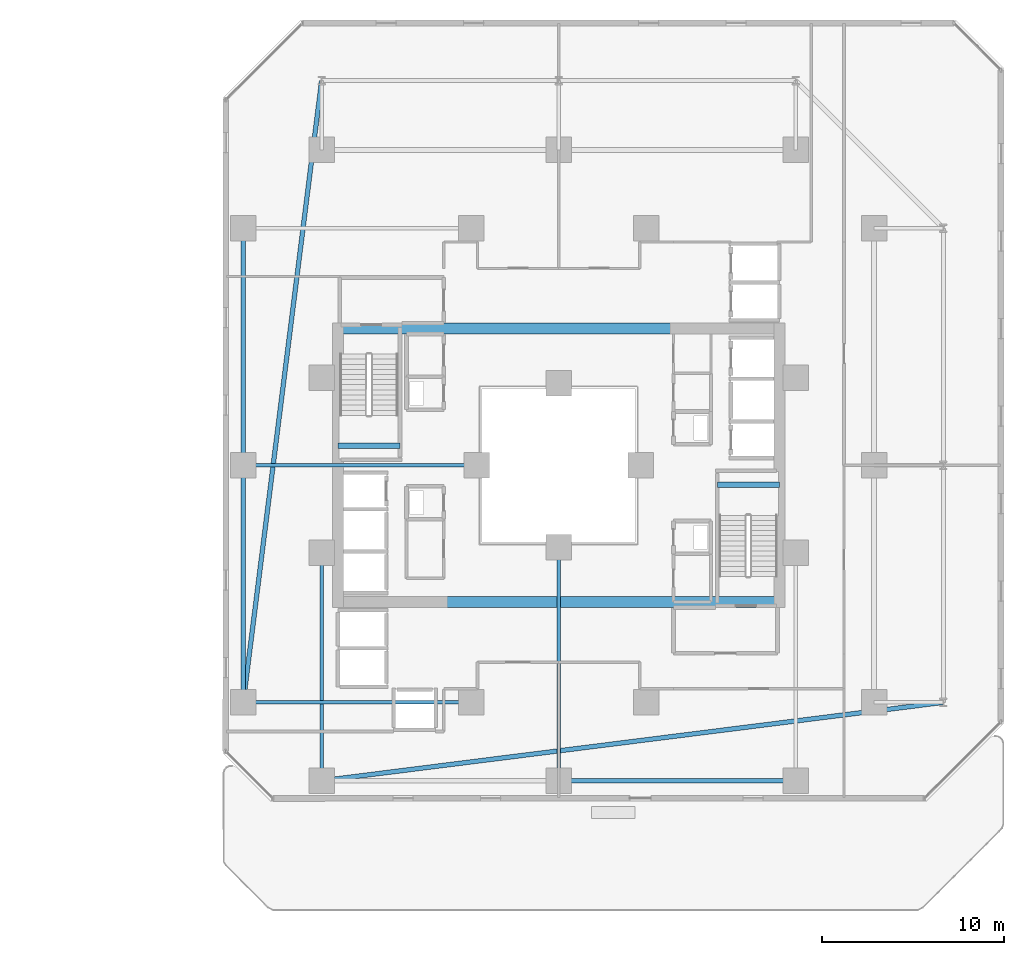
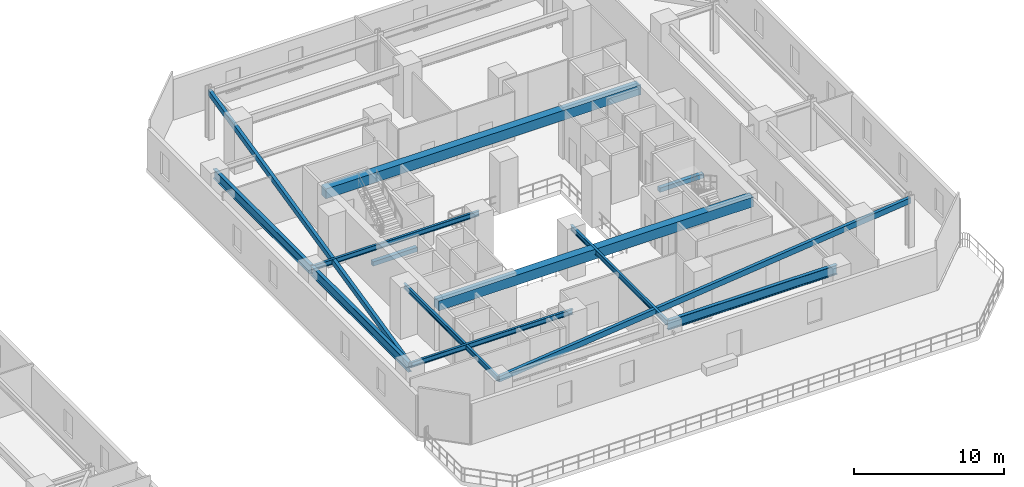
# One storey, part 11 of 33: 13 beams.
"""IFC4 building model written with IfcOpenShell, lengths in metres."""

from ifc_helpers import new_model, si_unit, direction, frame, origin, origin_2d, place, context, subcontext, project, spatial, rectangle, hollow_rectangle, i_section, extrude, material, material_profile, profile_set, type_object, element, save


model = new_model("IFC4")

# Units and contexts
model_context = context("Model", 3, precision=1e-05, world=origin(), true_north=direction((0.0, 1.0)))
body_context = subcontext(model_context, "Body", "Model", "MODEL_VIEW")
ifc_project = project(units=[si_unit("LENGTHUNIT", "METRE"), si_unit("AREAUNIT", "SQUARE_METRE"), si_unit("VOLUMEUNIT", "CUBIC_METRE"), si_unit("PLANEANGLEUNIT", "RADIAN"), si_unit("MASSUNIT", "GRAM", prefix="KILO")], contexts=[model_context])

# Site, building, storey
site_placement = place(None, origin())
site = spatial("IfcSite", under=ifc_project, at=site_placement, CompositionType="ELEMENT")
building_placement = place(site_placement, origin())
building = spatial("IfcBuilding", under=site, at=building_placement, Name="Thornwick Lancets Civic Towers", CompositionType="ELEMENT")
storey_placement = place(building_placement, frame((0.0, 0.0, 49.5)))
storey = spatial("IfcBuildingStorey", under=building, at=storey_placement, Name="L12", CompositionType="ELEMENT", Elevation=49.5)

# Beams
ifc_material_1 = material(Name="Concrete C60/75", Category="concrete")
ifc_material_profile_1 = material_profile(ifc_material_1, rectangle(XDim=0.60009765625, YDim=0.800048828125, at=origin_2d()), Name="RC 600x800")
ifc_profile_set_1 = profile_set([ifc_material_profile_1], Name="Concrete C60/75")
beam_type_1 = type_object("IfcBeamType", Name="BM_COUP_RC800", PredefinedType="BEAM", material=ifc_profile_set_1)
for number, where, z_axis, x_axis, name in (
    (1, (76.39990234375, 34.5, 3.56005859375), (1.0, 0.0, 0.0), (0.0, 1.0, 0.0), "CB-L12-B1"),
    (2, (76.39990234375, 19.5, 3.56005859375), (1.0, 0.0, 0.0), (0.0, 1.0, 0.0), "CB-L12-B2"),
):
    element("IfcBeam", number, at=place(storey_placement, frame(where, z_axis=z_axis, x_axis=x_axis)), inside=storey, type_object=beam_type_1, Name=name, PredefinedType="BEAM", context=body_context, shape_type="SweptSolid", body=[
        extrude(rectangle(XDim=0.60009765625, YDim=0.800048828125, at=origin_2d()), origin(), (0.0, 0.0, 1.0), 24.2001953125),
    ])
ifc_material_2 = material(Name="Steel S355JR", Category="steel")
ifc_material_profile_2 = material_profile(ifc_material_2, i_section(OverallWidth=0.26806640625, OverallDepth=0.769775390625, WebThickness=0.015625, FlangeThickness=0.025390625, FilletRadius=0.0166015625, at=origin_2d()), Name="UKB 762x267x197")
ifc_profile_set_2 = profile_set([ifc_material_profile_2], Name="Steel S355JR")
beam_type_2 = type_object("IfcBeamType", Name="BM_GIRD_762_197", PredefinedType="BEAM", material=ifc_profile_set_2)
beam_1_placement = place(storey_placement, frame((71.199951171875, 14.0, 3.5751953125), z_axis=(0.0, 1.0, 0.0), x_axis=(-1.0, 0.0, 0.0)))
element("IfcBeam", 3, at=beam_1_placement, inside=storey, type_object=beam_type_2, Name="BM-SPINE-L12-B-6-7", PredefinedType="BEAM", context=body_context, shape_type="SweptSolid", body=[
    extrude(i_section(OverallWidth=0.26806640625, OverallDepth=0.769775390625, WebThickness=0.015625, FlangeThickness=0.025390625, FilletRadius=0.0166015625, at=origin_2d()), origin(), (0.0, 0.0, 1.0), 13.0),
])
beam_2_placement = place(storey_placement, frame((71.199951171875, 27.080078125, 3.5751953125), z_axis=(0.0, 1.0, 0.0), x_axis=(-1.0, 0.0, 0.0)))
element("IfcBeam", 4, at=beam_2_placement, inside=storey, type_object=beam_type_2, Name="BM-SPINE-L12-B-7-8", PredefinedType="BEAM", context=body_context, shape_type="SweptSolid", body=[
    extrude(i_section(OverallWidth=0.26806640625, OverallDepth=0.769775390625, WebThickness=0.015625, FlangeThickness=0.025390625, FilletRadius=0.0166015625, at=origin_2d()), origin(), (0.0, 0.0, 1.0), 12.919921875),
])
beam_3_placement = place(storey_placement, frame((101.5, 9.699951171875, 3.5751953125), z_axis=(-1.0, 0.0, 0.0), x_axis=(0.0, -1.0, 0.0)))
element("IfcBeam", 5, at=beam_3_placement, inside=storey, type_object=beam_type_2, Name="BM-SPINE-L12-B-9-10", PredefinedType="BEAM", context=body_context, shape_type="SweptSolid", body=[
    extrude(i_section(OverallWidth=0.26806640625, OverallDepth=0.769775390625, WebThickness=0.015625, FlangeThickness=0.025390625, FilletRadius=0.0166015625, at=origin_2d()), origin(), (0.0, 0.0, 1.0), 13.0),
])
ifc_material_profile_3 = material_profile(ifc_material_2, i_section(OverallWidth=0.179443359375, OverallDepth=0.412841796875, WebThickness=0.009521484375, FlangeThickness=0.01611328125, FilletRadius=0.01025390625, at=origin_2d()), Name="UKB 406x178x74")
ifc_profile_set_3 = profile_set([ifc_material_profile_3], Name="Steel S355JR")
beam_type_3 = type_object("IfcBeamType", Name="BM_JOIST_406_74", PredefinedType="JOIST", material=ifc_profile_set_3)
beam_4_placement = place(storey_placement, frame((83.699951171875, 14.0, 3.753662109375), z_axis=(-1.0, 0.0, 0.0), x_axis=(0.0, -1.0, 0.0)))
element("IfcBeam", 6, at=beam_4_placement, inside=storey, type_object=beam_type_3, Name="BM-RADIN-L12-B07", PredefinedType="JOIST", context=body_context, shape_type="SweptSolid", body=[
    extrude(i_section(OverallWidth=0.179443359375, OverallDepth=0.412841796875, WebThickness=0.009521484375, FlangeThickness=0.01611328125, FilletRadius=0.01025390625, at=origin_2d()), origin(), (0.0, 0.0, 1.0), 12.5),
])
for number, where, z_axis, x_axis, name in (
    (7, (84.0, 27.0, 3.753662109375), (-1.0, 0.0, 0.0), (0.0, -1.0, 0.0), "BM-RADIN-L12-B08"),
    (8, (88.5, 22.5, 3.753662109375), (0.0, -1.0, 0.0), (1.0, 0.0, 0.0), "BM-RADIN-L12-B11"),
):
    element("IfcBeam", number, at=place(storey_placement, frame(where, z_axis=z_axis, x_axis=x_axis)), inside=storey, type_object=beam_type_3, Name=name, PredefinedType="JOIST", context=body_context, shape_type="SweptSolid", body=[
        extrude(i_section(OverallWidth=0.179443359375, OverallDepth=0.412841796875, WebThickness=0.009521484375, FlangeThickness=0.01611328125, FilletRadius=0.01025390625, at=origin_2d()), origin(), (0.0, 0.0, 1.0), 12.800048828125),
    ])
beam_5_placement = place(storey_placement, frame((75.5, 22.199951171875, 3.753662109375), z_axis=(0.0, -1.0, 0.0), x_axis=(1.0, 0.0, 0.0)))
element("IfcBeam", 9, at=beam_5_placement, inside=storey, type_object=beam_type_3, Name="BM-RADIN-L12-B12", PredefinedType="JOIST", context=body_context, shape_type="SweptSolid", body=[
    extrude(i_section(OverallWidth=0.179443359375, OverallDepth=0.412841796875, WebThickness=0.009521484375, FlangeThickness=0.01611328125, FilletRadius=0.01025390625, at=origin_2d()), origin(), (0.0, 0.0, 1.0), 12.5),
])
ifc_material_profile_4 = material_profile(ifc_material_2, hollow_rectangle(XDim=0.25, YDim=0.449951171875, WallThickness=0.01611328125, at=origin_2d()), Name="RHS 450x250x16")
ifc_profile_set_4 = profile_set([ifc_material_profile_4], Name="Steel S355JR")
beam_type_4 = type_object("IfcBeamType", Name="BM_RING_RHS450", PredefinedType="BEAM", material=ifc_profile_set_4)
for number, where, z_axis, x_axis, name in (
    (10, (75.5, 48.10009765625, 3.735107421875), (-0.12510998836, -0.992142878225, 0.0), (0.992142878225, -0.12510998836, 0.0), "BM-CHAMF-L12-B-C1"),
    (11, (75.5, 9.699951171875, 3.735107421875), (0.992142878225, 0.12510998836, 0.0), (-0.12510998836, 0.992142878225, 0.0), "BM-CHAMF-L12-B-C3"),
):
    element("IfcBeam", number, at=place(storey_placement, frame(where, z_axis=z_axis, x_axis=x_axis)), inside=storey, type_object=beam_type_4, Name=name, PredefinedType="BEAM", context=body_context, shape_type="SweptSolid", body=[
        extrude(hollow_rectangle(XDim=0.25, YDim=0.449951171875, WallThickness=0.01611328125, at=origin_2d()), origin(), (0.0, 0.0, 1.0), 34.3701171875),
    ])
ifc_material_3 = material(Name="Concrete C40/50", Category="concrete")
ifc_material_profile_5 = material_profile(ifc_material_3, rectangle(XDim=0.300048828125, YDim=0.35009765625, at=origin_2d()), Name="RC 300x350")
ifc_profile_set_5 = profile_set([ifc_material_profile_5], Name="Concrete C40/50")
beam_type_5 = type_object("IfcBeamType", Name="BM_STAIR_LDG", PredefinedType="BEAM", material=ifc_profile_set_5)
for number, where, z_axis, x_axis, name in (
    (12, (100.60009765625, 25.93505859375, 1.677978515625), (-1.0, 0.0, 0.0), (0.0, -1.0, 0.0), "L12 ST-B1 Landing Support Beam 1"),
    (13, (76.39990234375, 28.06494140625, 1.677978515625), (1.0, 0.0, 0.0), (0.0, 1.0, 0.0), "L12 ST-B2 Landing Support Beam 1"),
):
    element("IfcBeam", number, at=place(storey_placement, frame(where, z_axis=z_axis, x_axis=x_axis)), inside=storey, type_object=beam_type_5, Name=name, PredefinedType="BEAM", context=body_context, shape_type="SweptSolid", body=[
        extrude(rectangle(XDim=0.300048828125, YDim=0.35009765625, at=origin_2d()), origin(), (0.0, 0.0, 1.0), 3.400146484375),
    ])

save(model, "model.ifc")
